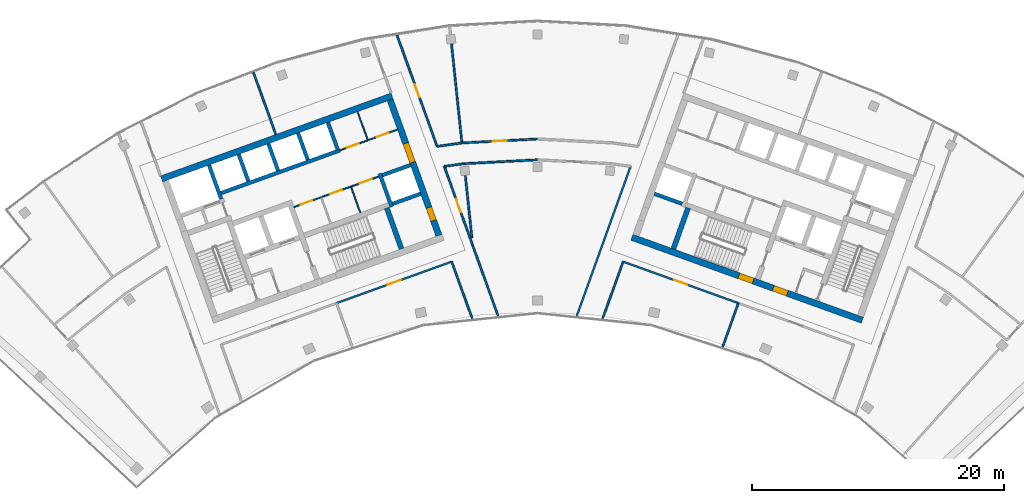
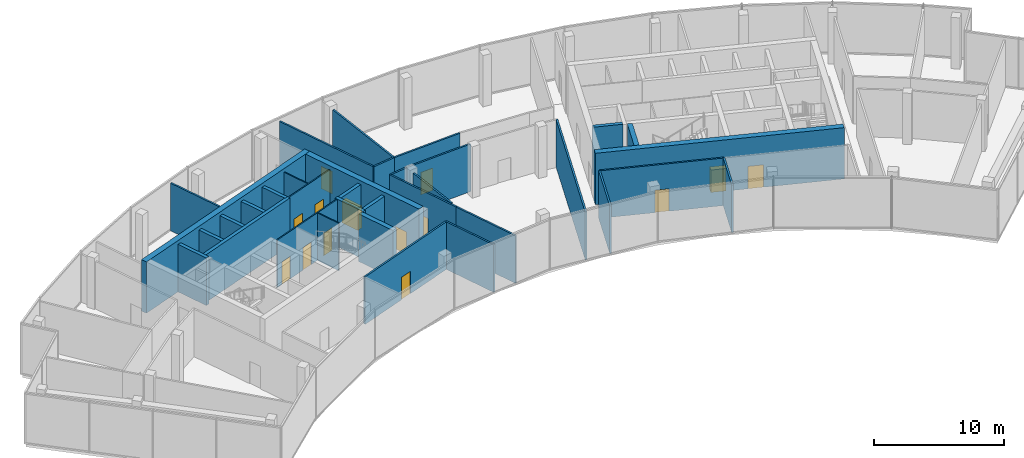
# One storey, part 13 of 17: 35 walls, 14 doors, 14 openings.
"""IFC4 building model written with IfcOpenShell, lengths in metres."""

from ifc_helpers import new_model, si_unit, direction, frame, frame_2d, origin, place, context, subcontext, project, spatial, rectangle, extrude, material, layer, layer_set, type_object, element, fill, save


model = new_model("IFC4")

# Units and contexts
model_context = context("Model", 3, precision=1e-05, world=origin(), true_north=direction((0.0, 1.0)))
body_context = subcontext(model_context, "Body", "Model", "MODEL_VIEW")
ifc_project = project(units=[si_unit("LENGTHUNIT", "METRE"), si_unit("AREAUNIT", "SQUARE_METRE"), si_unit("VOLUMEUNIT", "CUBIC_METRE"), si_unit("PLANEANGLEUNIT", "RADIAN"), si_unit("MASSUNIT", "GRAM", prefix="KILO")], contexts=[model_context])

# Site, building, storey
site_placement = place(None, origin())
site = spatial("IfcSite", under=ifc_project, at=site_placement, CompositionType="ELEMENT")
building_placement = place(site_placement, origin())
building = spatial("IfcBuilding", under=site, at=building_placement, Name="Stone Belt Terrace Tower", CompositionType="ELEMENT")
storey_placement = place(building_placement, frame((0.0, 0.0, 313.39990234375)))
storey = spatial("IfcBuildingStorey", under=building, at=storey_placement, Name="L76", CompositionType="ELEMENT", Elevation=313.39990234375)

# Wall, openings, doors
ifc_material_1 = material(Name="Plasterboard partition")
ifc_layer_1 = layer(ifc_material_1, 0.10009765625)
ifc_layer_set_1 = layer_set([ifc_layer_1], Name="Core partition 100")
wall_type_1 = type_object("IfcWallType", Name="Core partition 100", PredefinedType="PARTITIONING", material=ifc_layer_set_1)
wall_1_placement = place(storey_placement, frame((-19.29052734375, 51.829833984375, 0.0), z_axis=(0.0, 0.0, 1.0), x_axis=(0.94092179465, 0.338623945331, 0.0)))
wall_1 = element("IfcWall", 1, at=wall_1_placement, inside=storey, type_object=wall_type_1, Name="Core A wall", PredefinedType="PARTITIONING", context=body_context, shape_type="SweptSolid", body=[
    extrude(rectangle(XDim=7.14990234375, YDim=0.10009765625, at=frame_2d((3.574951171875, 0.0))), origin(), (0.0, 0.0, 1.0), 4.4501953125),
])
opening_1_placement = place(wall_1_placement, frame((0.550048828125, 0.0, 0.0)))
opening_1 = element("IfcOpeningElement", 2, at=opening_1_placement, cuts=wall_1, Name="Opening L76-C03", PredefinedType="OPENING", context=body_context, shape_type="SweptSolid", body=[
    extrude(rectangle(XDim=1.0, YDim=2.10009765625, at=frame_2d((0.5, 1.050048828125))), frame((0.0, 0.06005859375, 0.0), z_axis=(0.0, -1.0, 0.0), x_axis=(1.0, 0.0, 0.0)), (0.0, 0.0, 1.0), 0.1201171875),
])
opening_2_placement = place(wall_1_placement, frame((3.050048828125, 0.0, 0.0)))
opening_2 = element("IfcOpeningElement", 3, at=opening_2_placement, cuts=wall_1, Name="Opening L76-C04", PredefinedType="OPENING", context=body_context, shape_type="SweptSolid", body=[
    extrude(rectangle(XDim=1.0, YDim=2.10009765625, at=frame_2d((0.5, 1.050048828125))), frame((0.0, 0.06005859375, 0.0), z_axis=(0.0, -1.0, 0.0), x_axis=(1.0, 0.0, 0.0)), (0.0, 0.0, 1.0), 0.1201171875),
])
opening_3_placement = place(wall_1_placement, frame((5.550048828125, 0.0, 0.0)))
opening_3 = element("IfcOpeningElement", 4, at=opening_3_placement, cuts=wall_1, Name="Opening L76-C05", PredefinedType="OPENING", context=body_context, shape_type="SweptSolid", body=[
    extrude(rectangle(XDim=1.0, YDim=2.10009765625, at=frame_2d((0.5, 1.050048828125))), frame((0.0, 0.06005859375, 0.0), z_axis=(0.0, -1.0, 0.0), x_axis=(1.0, 0.0, 0.0)), (0.0, 0.0, 1.0), 0.1201171875),
])
ifc_material_2 = material(Name="Timber door leaf", Category="wood")
door_type_1 = type_object("IfcDoorType", Name="Core room door 1000", OperationType="SINGLE_SWING_LEFT", PredefinedType="DOOR", material=ifc_material_2)
door_1_placement = place(opening_1_placement, origin())
door_1 = element("IfcDoor", 5, at=door_1_placement, inside=storey, type_object=door_type_1, Name="Door to Ventilation plant room core A", OperationType="SINGLE_SWING_RIGHT", OverallHeight=2.10009765625, OverallWidth=1.0, PredefinedType="DOOR", context=body_context, shape_type="SweptSolid", body=[
    extrude(rectangle(XDim=1.0, YDim=2.10009765625, at=frame_2d((0.5, 1.050048828125))), frame((0.0, 0.02490234375, 0.0), z_axis=(0.0, -1.0, 0.0), x_axis=(1.0, 0.0, 0.0)), (0.0, 0.0, 1.0), 0.050048828125),
])
fill(opening_1, door_1)
door_2_placement = place(opening_2_placement, origin())
door_2 = element("IfcDoor", 6, at=door_2_placement, inside=storey, type_object=door_type_1, Name="Door to Services store core A", OperationType="SINGLE_SWING_LEFT", OverallHeight=2.10009765625, OverallWidth=1.0, PredefinedType="DOOR", context=body_context, shape_type="SweptSolid", body=[
    extrude(rectangle(XDim=1.0, YDim=2.10009765625, at=frame_2d((0.5, 1.050048828125))), frame((0.0, 0.02490234375, 0.0), z_axis=(0.0, -1.0, 0.0), x_axis=(1.0, 0.0, 0.0)), (0.0, 0.0, 1.0), 0.050048828125),
])
fill(opening_2, door_2)
door_3_placement = place(opening_3_placement, origin())
door_3 = element("IfcDoor", 7, at=door_3_placement, inside=storey, type_object=door_type_1, Name="Door to Server room core A", OperationType="SINGLE_SWING_RIGHT", OverallHeight=2.10009765625, OverallWidth=1.0, PredefinedType="DOOR", context=body_context, shape_type="SweptSolid", body=[
    extrude(rectangle(XDim=1.0, YDim=2.10009765625, at=frame_2d((0.5, 1.050048828125))), frame((0.0, 0.02490234375, 0.0), z_axis=(0.0, -1.0, 0.0), x_axis=(1.0, 0.0, 0.0)), (0.0, 0.0, 1.0), 0.050048828125),
])
fill(opening_3, door_3)

# Wall
wall_2_placement = place(storey_placement, frame((-14.029052734375, 51.38525390625, 0.0), z_axis=(0.0, 0.0, 1.0), x_axis=(-0.338622960269, 0.940922149159, 0.0)))
element("IfcWall", 8, at=wall_2_placement, inside=storey, type_object=wall_type_1, Name="Core A wall", PredefinedType="PARTITIONING", context=body_context, shape_type="SweptSolid", body=[
    extrude(rectangle(XDim=2.14990234375, YDim=0.10009765625, at=frame_2d((1.074951171875, 0.0))), origin(), (0.0, 0.0, 1.0), 4.4501953125),
])

# Wall, openings, doors
wall_3_placement = place(storey_placement, frame((-15.648681640625, 56.32861328125, 0.0), z_axis=(0.0, 0.0, 1.0), x_axis=(0.940905377977, 0.338669558262, 0.0)))
wall_3 = element("IfcWall", 9, at=wall_3_placement, inside=storey, type_object=wall_type_1, Name="Core A wall", PredefinedType="PARTITIONING", context=body_context, shape_type="SweptSolid", body=[
    extrude(rectangle(XDim=4.85009765625, YDim=0.10009765625, at=frame_2d((2.425048828125, 0.0))), origin(), (0.0, 0.0, 1.0), 4.4501953125),
])
opening_4_placement = place(wall_3_placement, frame((0.60009765625, 0.0, 0.0)))
opening_4 = element("IfcOpeningElement", 10, at=opening_4_placement, cuts=wall_3, Name="Opening L76-C01", PredefinedType="OPENING", context=body_context, shape_type="SweptSolid", body=[
    extrude(rectangle(XDim=1.0, YDim=2.10009765625, at=frame_2d((0.5, 1.050048828125))), frame((0.0, 0.06005859375, 0.0), z_axis=(0.0, -1.0, 0.0), x_axis=(1.0, 0.0, 0.0)), (0.0, 0.0, 1.0), 0.1201171875),
])
opening_5_placement = place(wall_3_placement, frame((3.10009765625, 0.0, 0.0)))
opening_5 = element("IfcOpeningElement", 11, at=opening_5_placement, cuts=wall_3, Name="Opening L76-C02", PredefinedType="OPENING", context=body_context, shape_type="SweptSolid", body=[
    extrude(rectangle(XDim=1.0, YDim=2.10009765625, at=frame_2d((0.5, 1.050048828125))), frame((0.0, 0.06005859375, 0.0), z_axis=(0.0, -1.0, 0.0), x_axis=(1.0, 0.0, 0.0)), (0.0, 0.0, 1.0), 0.1201171875),
])
door_4_placement = place(opening_4_placement, origin())
door_4 = element("IfcDoor", 12, at=door_4_placement, inside=storey, type_object=door_type_1, Name="Door to Plant room core A", OperationType="SINGLE_SWING_RIGHT", OverallHeight=2.10009765625, OverallWidth=1.0, PredefinedType="DOOR", context=body_context, shape_type="SweptSolid", body=[
    extrude(rectangle(XDim=1.0, YDim=2.10009765625, at=frame_2d((0.5, 1.050048828125))), frame((0.0, 0.02490234375, 0.0), z_axis=(0.0, -1.0, 0.0), x_axis=(1.0, 0.0, 0.0)), (0.0, 0.0, 1.0), 0.050048828125),
])
fill(opening_4, door_4)
door_5_placement = place(opening_5_placement, origin())
door_5 = element("IfcDoor", 13, at=door_5_placement, inside=storey, type_object=door_type_1, Name="Door to Electrical room core A", OperationType="SINGLE_SWING_LEFT", OverallHeight=2.10009765625, OverallWidth=1.0, PredefinedType="DOOR", context=body_context, shape_type="SweptSolid", body=[
    extrude(rectangle(XDim=1.0, YDim=2.10009765625, at=frame_2d((0.5, 1.050048828125))), frame((0.0, 0.02490234375, 0.0), z_axis=(0.0, -1.0, 0.0), x_axis=(1.0, 0.0, 0.0)), (0.0, 0.0, 1.0), 0.050048828125),
])
fill(opening_5, door_5)

# Walls
wall_4_placement = place(storey_placement, frame((-13.45458984375, 57.171630859375, 0.0), z_axis=(0.0, 0.0, 1.0), x_axis=(-0.338579668317, 0.940937728121, 0.0)))
element("IfcWall", 14, at=wall_4_placement, inside=storey, type_object=wall_type_1, Name="Core A wall", PredefinedType="PARTITIONING", context=body_context, shape_type="SweptSolid", body=[
    extrude(rectangle(XDim=2.35009765625, YDim=0.10009765625, at=frame_2d((1.175048828125, 0.0))), origin(), (0.0, 0.0, 1.0), 4.4501953125),
])
ifc_material_3 = material(Name="Concrete B60", Category="concrete")
ifc_layer_2 = layer(ifc_material_3, 0.5)
ifc_layer_set_2 = layer_set([ifc_layer_2], Name="Core wall 500 B60")
wall_type_2 = type_object("IfcWallType", Name="Core wall 500 B60", PredefinedType="SHEAR", material=ifc_layer_set_2)
wall_5_placement = place(storey_placement, frame((-29.76611328125, 54.064453125, 0.0), z_axis=(0.0, 0.0, 1.0), x_axis=(0.940921417488, 0.338624993336, 0.0)))
element("IfcWall", 15, at=wall_5_placement, inside=storey, type_object=wall_type_2, Name="Core A wall convex L76", PredefinedType="SHEAR", context=body_context, shape_type="SweptSolid", body=[
    extrude(rectangle(XDim=19.400146484375, YDim=0.5, at=frame_2d((9.7001953125, 0.0))), origin(), (0.0, 0.0, 1.0), 4.800048828125),
])

# Wall, openings, doors
wall_6_placement = place(storey_placement, frame((-7.802490234375, 49.58740234375, 0.0), z_axis=(0.0, 0.0, 1.0), x_axis=(-0.338625431531, 0.940921259788, 0.0)))
wall_6 = element("IfcWall", 16, at=wall_6_placement, inside=storey, type_object=wall_type_2, Name="Core A wall end_b L76", PredefinedType="SHEAR", context=body_context, shape_type="SweptSolid", body=[
    extrude(rectangle(XDim=11.400146484375, YDim=0.5, at=frame_2d((5.7001953125, 0.0))), origin(), (0.0, 0.0, 1.0), 4.800048828125),
])
opening_6_placement = place(wall_6_placement, frame((6.14990234375, 0.0, 0.0)))
opening_6 = element("IfcOpeningElement", 17, at=opening_6_placement, cuts=wall_6, Name="Opening L76-C08", PredefinedType="OPENING", context=body_context, shape_type="SweptSolid", body=[
    extrude(rectangle(XDim=1.60009765625, YDim=2.10009765625, at=frame_2d((0.800048828125, 1.050048828125))), frame((0.0, 0.260009765625, 0.0), z_axis=(0.0, -1.0, 0.0), x_axis=(1.0, 0.0, 0.0)), (0.0, 0.0, 1.0), 0.52001953125),
])
opening_7_placement = place(wall_6_placement, frame((1.25, 0.0, 0.0)))
opening_7 = element("IfcOpeningElement", 18, at=opening_7_placement, cuts=wall_6, Name="Opening L76-C14", PredefinedType="OPENING", context=body_context, shape_type="SweptSolid", body=[
    extrude(rectangle(XDim=1.10009765625, YDim=2.10009765625, at=frame_2d((0.550048828125, 1.050048828125))), frame((0.0, 0.260009765625, 0.0), z_axis=(0.0, -1.0, 0.0), x_axis=(1.0, 0.0, 0.0)), (0.0, 0.0, 1.0), 0.52001953125),
])
door_type_2 = type_object("IfcDoorType", Name="Core room door 1100", OperationType="SINGLE_SWING_LEFT", PredefinedType="DOOR", material=ifc_material_2)
door_6_placement = place(opening_7_placement, origin())
door_6 = element("IfcDoor", 19, at=door_6_placement, inside=storey, type_object=door_type_2, Name="Door to Mechanical plant room core A", OperationType="SINGLE_SWING_RIGHT", OverallHeight=2.10009765625, OverallWidth=1.10009765625, PredefinedType="DOOR", context=body_context, shape_type="SweptSolid", body=[
    extrude(rectangle(XDim=1.10009765625, YDim=2.10009765625, at=frame_2d((0.550048828125, 1.050048828125))), frame((0.0, 0.22998046875, 0.0), z_axis=(0.0, -1.0, 0.0), x_axis=(1.0, 0.0, 0.0)), (0.0, 0.0, 1.0), 0.4599609375),
])
fill(opening_7, door_6)
ifc_material_4 = material(Name="Glazed aluminium door leaf", Category="aluminium")
door_type_3 = type_object("IfcDoorType", Name="Lift lobby entrance door 1600", OperationType="DOUBLE_DOOR_SINGLE_SWING", PredefinedType="DOOR", material=ifc_material_4)
door_7_placement = place(opening_6_placement, origin())
door_7 = element("IfcDoor", 20, at=door_7_placement, inside=storey, type_object=door_type_3, Name="Lift lobby entrance door core A", OperationType="DOUBLE_DOOR_SINGLE_SWING", OverallHeight=2.10009765625, OverallWidth=1.60009765625, PredefinedType="DOOR", context=body_context, shape_type="SweptSolid", body=[
    extrude(rectangle(XDim=1.60009765625, YDim=2.10009765625, at=frame_2d((0.800048828125, 1.050048828125))), frame((0.0, 0.22998046875, 0.0), z_axis=(0.0, -1.0, 0.0), x_axis=(1.0, 0.0, 0.0)), (0.0, 0.0, 1.0), 0.4599609375),
])
fill(opening_6, door_7)

wall_7_placement = place(storey_placement, frame((7.482666015625, 49.43701171875, 0.0), z_axis=(0.0, 0.0, 1.0), x_axis=(0.940917407757, -0.338636134781, 0.0)))
wall_7 = element("IfcWall", 21, at=wall_7_placement, inside=storey, type_object=wall_type_2, Name="Core B wall concave L76", PredefinedType="SHEAR", context=body_context, shape_type="SweptSolid", body=[
    extrude(rectangle(XDim=19.400146484375, YDim=0.5, at=frame_2d((9.7001953125, 0.0))), origin(), (0.0, 0.0, 1.0), 4.800048828125),
])
opening_8_placement = place(wall_7_placement, frame((11.89990234375, 0.0, 0.0)))
opening_8 = element("IfcOpeningElement", 22, at=opening_8_placement, cuts=wall_7, Name="Opening L76-C25", PredefinedType="OPENING", context=body_context, shape_type="SweptSolid", body=[
    extrude(rectangle(XDim=1.199951171875, YDim=2.10009765625, at=frame_2d((0.60009765625, 1.050048828125))), frame((0.0, 0.260009765625, 0.0), z_axis=(0.0, -1.0, 0.0), x_axis=(1.0, 0.0, 0.0)), (0.0, 0.0, 1.0), 0.52001953125),
])
opening_9_placement = place(wall_7_placement, frame((9.0, 0.0, 0.0)))
opening_9 = element("IfcOpeningElement", 23, at=opening_9_placement, cuts=wall_7, Name="Opening L76-C27", PredefinedType="OPENING", context=body_context, shape_type="SweptSolid", body=[
    extrude(rectangle(XDim=1.199951171875, YDim=2.10009765625, at=frame_2d((0.60009765625, 1.050048828125))), frame((0.0, 0.260009765625, 0.0), z_axis=(0.0, -1.0, 0.0), x_axis=(1.0, 0.0, 0.0)), (0.0, 0.0, 1.0), 0.52001953125),
])
ifc_material_5 = material(Name="Steel door leaf", Category="steel")
door_type_4 = type_object("IfcDoorType", Name="Fire-fighting lobby door 1200", OperationType="SINGLE_SWING_LEFT", PredefinedType="DOOR", material=ifc_material_5)
door_8_placement = place(opening_8_placement, origin())
door_8 = element("IfcDoor", 24, at=door_8_placement, inside=storey, type_object=door_type_4, Name="Fire-fighting lobby door core B", OperationType="SINGLE_SWING_LEFT", OverallHeight=2.10009765625, OverallWidth=1.199951171875, PredefinedType="DOOR", context=body_context, shape_type="SweptSolid", body=[
    extrude(rectangle(XDim=1.199951171875, YDim=2.10009765625, at=frame_2d((0.60009765625, 1.050048828125))), frame((0.0, 0.22998046875, 0.0), z_axis=(0.0, -1.0, 0.0), x_axis=(1.0, 0.0, 0.0)), (0.0, 0.0, 1.0), 0.4599609375),
])
fill(opening_8, door_8)
door_type_5 = type_object("IfcDoorType", Name="Stair door 1200", OperationType="SINGLE_SWING_LEFT", PredefinedType="DOOR", material=ifc_material_5)
door_9_placement = place(opening_9_placement, origin())
door_9 = element("IfcDoor", 25, at=door_9_placement, inside=storey, type_object=door_type_5, Name="Stair 2 exit door core B", OperationType="SINGLE_SWING_RIGHT", OverallHeight=2.10009765625, OverallWidth=1.199951171875, PredefinedType="DOOR", context=body_context, shape_type="SweptSolid", body=[
    extrude(rectangle(XDim=1.199951171875, YDim=2.10009765625, at=frame_2d((0.60009765625, 1.050048828125))), frame((0.0, 0.22998046875, 0.0), z_axis=(0.0, -1.0, 0.0), x_axis=(1.0, 0.0, 0.0)), (0.0, 0.0, 1.0), 0.4599609375),
])
fill(opening_9, door_9)

# Walls
ifc_material_6 = material(Name="Concrete B80", Category="concrete")
ifc_layer_3 = layer(ifc_material_6, 0.300048828125)
ifc_layer_set_3 = layer_set([ifc_layer_3], Name="Lift shaft wall 300")
wall_type_3 = type_object("IfcWallType", Name="Lift shaft wall 300", PredefinedType="SHEAR", material=ifc_layer_set_3)
wall_8_placement = place(storey_placement, frame((-25.046875, 52.46826171875, 0.0), z_axis=(0.0, 0.0, 1.0), x_axis=(-0.338549588058, 0.940948551423, 0.0)))
element("IfcWall", 26, at=wall_8_placement, inside=storey, type_object=wall_type_3, Name="Core A wall", PredefinedType="SHEAR", context=body_context, shape_type="SweptSolid", body=[
    extrude(rectangle(XDim=2.849853515625, YDim=0.300048828125, at=frame_2d((1.4248046875, 0.0))), origin(), (0.0, 0.0, 1.0), 4.4501953125),
])
wall_9_placement = place(storey_placement, frame((-25.05810546875, 52.9423828125, 0.0), z_axis=(0.0, 0.0, 1.0), x_axis=(0.940924441602, 0.338616590255, 0.0)))
element("IfcWall", 27, at=wall_9_placement, inside=storey, type_object=wall_type_3, Name="Core A wall", PredefinedType="SHEAR", context=body_context, shape_type="SweptSolid", body=[
    extrude(rectangle(XDim=10.000244140625, YDim=0.300048828125, at=frame_2d((5.0, 0.0))), origin(), (0.0, 0.0, 1.0), 4.4501953125),
])
wall_10_placement = place(storey_placement, frame((-22.897705078125, 53.87939453125, 0.0), z_axis=(0.0, 0.0, 1.0), x_axis=(-0.338535034312, 0.940953787677, 0.0)))
element("IfcWall", 28, at=wall_10_placement, inside=storey, type_object=wall_type_3, Name="Core A wall", PredefinedType="SHEAR", context=body_context, shape_type="SweptSolid", body=[
    extrude(rectangle(XDim=2.25, YDim=0.300048828125, at=frame_2d((1.125, 0.0))), origin(), (0.0, 0.0, 1.0), 4.4501953125),
])
wall_11_placement = place(storey_placement, frame((-20.54541015625, 54.72607421875, 0.0), z_axis=(0.0, 0.0, 1.0), x_axis=(-0.338569601369, 0.940941350472, 0.0)))
element("IfcWall", 29, at=wall_11_placement, inside=storey, type_object=wall_type_3, Name="Core A wall", PredefinedType="SHEAR", context=body_context, shape_type="SweptSolid", body=[
    extrude(rectangle(XDim=2.249755859375, YDim=0.300048828125, at=frame_2d((1.125, 0.0))), origin(), (0.0, 0.0, 1.0), 4.4501953125),
])
wall_12_placement = place(storey_placement, frame((-18.193115234375, 55.572509765625, 0.0), z_axis=(0.0, 0.0, 1.0), x_axis=(-0.338535034312, 0.940953787677, 0.0)))
element("IfcWall", 30, at=wall_12_placement, inside=storey, type_object=wall_type_3, Name="Core A wall", PredefinedType="SHEAR", context=body_context, shape_type="SweptSolid", body=[
    extrude(rectangle(XDim=2.25, YDim=0.300048828125, at=frame_2d((1.125, 0.0))), origin(), (0.0, 0.0, 1.0), 4.4501953125),
])
wall_13_placement = place(storey_placement, frame((-15.82373046875, 56.3720703125, 0.0), z_axis=(0.0, 0.0, 1.0), x_axis=(-0.338621735342, 0.94092258999, 0.0)))
element("IfcWall", 31, at=wall_13_placement, inside=storey, type_object=wall_type_3, Name="Core A wall", PredefinedType="SHEAR", context=body_context, shape_type="SweptSolid", body=[
    extrude(rectangle(XDim=2.300048828125, YDim=0.300048828125, at=frame_2d((1.14990234375, 0.0))), origin(), (0.0, 0.0, 1.0), 4.4501953125),
])
wall_14_placement = place(storey_placement, frame((-11.541259765625, 51.85546875, 0.0), z_axis=(0.0, 0.0, 1.0), x_axis=(-0.338660803216, 0.940908529223, 0.0)))
element("IfcWall", 32, at=wall_14_placement, inside=storey, type_object=wall_type_3, Name="Core A wall", PredefinedType="SHEAR", context=body_context, shape_type="SweptSolid", body=[
    extrude(rectangle(XDim=2.800048828125, YDim=0.300048828125, at=frame_2d((1.39990234375, 0.0))), origin(), (0.0, 0.0, 1.0), 4.4501953125),
])
wall_15_placement = place(storey_placement, frame((-11.468017578125, 52.09423828125, 0.0), z_axis=(0.0, 0.0, 1.0), x_axis=(0.940904627055, 0.338671644496, 0.0)))
element("IfcWall", 33, at=wall_15_placement, inside=storey, type_object=wall_type_3, Name="Core A wall", PredefinedType="SHEAR", context=body_context, shape_type="SweptSolid", body=[
    extrude(rectangle(XDim=2.35009765625, YDim=0.300048828125, at=frame_2d((1.175048828125, 0.0))), origin(), (0.0, 0.0, 1.0), 4.4501953125),
])
wall_16_placement = place(storey_placement, frame((-12.280517578125, 54.3525390625, 0.0), z_axis=(0.0, 0.0, 1.0), x_axis=(0.940925816745, 0.338612769078, 0.0)))
element("IfcWall", 34, at=wall_16_placement, inside=storey, type_object=wall_type_3, Name="Core A wall", PredefinedType="SHEAR", context=body_context, shape_type="SweptSolid", body=[
    extrude(rectangle(XDim=2.349853515625, YDim=0.300048828125, at=frame_2d((1.1748046875, 0.0))), origin(), (0.0, 0.0, 1.0), 4.4501953125),
])
wall_17_placement = place(storey_placement, frame((11.468017578125, 52.09423828125, 0.0), z_axis=(0.0, 0.0, 1.0), x_axis=(-0.940904627055, 0.338671644496, 0.0)))
element("IfcWall", 35, at=wall_17_placement, inside=storey, type_object=wall_type_3, Name="Core B wall", PredefinedType="SHEAR", context=body_context, shape_type="SweptSolid", body=[
    extrude(rectangle(XDim=2.35009765625, YDim=0.300048828125, at=frame_2d((1.175048828125, 0.0))), origin(), (0.0, 0.0, 1.0), 4.4501953125),
])
ifc_material_7 = material(Name="Gypsum board partition")
ifc_layer_4 = layer(ifc_material_7, 0.14990234375)
ifc_layer_set_4 = layer_set([ifc_layer_4], Name="PARTITION 150 EI 60")
wall_type_4 = type_object("IfcWallType", Name="PARTITION 150 EI 60", PredefinedType="PARTITIONING", material=ifc_layer_set_4)
wall_18_placement = place(storey_placement, frame((-5.151123046875, 42.95849609375, 0.0), z_axis=(0.0, 0.0, 1.0), x_axis=(-0.338530173929, 0.940955536324, 0.0)))
element("IfcWall", 36, at=wall_18_placement, inside=storey, type_object=wall_type_4, Name="L76/wall/i006", PredefinedType="PARTITIONING", context=body_context, shape_type="SweptSolid", body=[
    extrude(rectangle(XDim=4.84130859375, YDim=0.14990234375, at=frame_2d((2.420654296875, 0.0))), origin(), (0.0, 0.0, 1.0), 4.4501953125),
])

# Wall, opening, door
wall_19_placement = place(storey_placement, frame((-7.381103515625, 55.05908203125, 0.0), z_axis=(0.0, 0.0, 1.0), x_axis=(0.338745451541, -0.940878057487, 0.0)))
wall_19 = element("IfcWall", 37, at=wall_19_placement, inside=storey, type_object=wall_type_4, Name="L76/wall/i008", PredefinedType="PARTITIONING", context=body_context, shape_type="SweptSolid", body=[
    extrude(rectangle(XDim=6.654296875, YDim=0.14990234375, at=frame_2d((3.3271484375, 0.0))), origin(), (0.0, 0.0, 1.0), 4.4501953125),
])
opening_10_placement = place(wall_19_placement, frame((2.777099609375, 0.0, 0.0)))
opening_10 = element("IfcOpeningElement", 38, at=opening_10_placement, cuts=wall_19, Name="Opening D-C76-17", PredefinedType="OPENING", context=body_context, shape_type="SweptSolid", body=[
    extrude(rectangle(XDim=1.10009765625, YDim=2.10009765625, at=frame_2d((0.550048828125, 1.050048828125))), frame((0.0, 0.0849609375, 0.0), z_axis=(0.0, -1.0, 0.0), x_axis=(1.0, 0.0, 0.0)), (0.0, 0.0, 1.0), 0.169921875),
])
ifc_material_8 = material(Name="Steel fire door set", Category="steel")
door_type_6 = type_object("IfcDoorType", Name="SERVICE ROOM DOOR 1100 X 2100", OperationType="NOTDEFINED", PredefinedType="DOOR", material=ifc_material_8)
door_10_placement = place(opening_10_placement, origin())
door_10 = element("IfcDoor", 39, at=door_10_placement, inside=storey, type_object=door_type_6, Name="L76/door/i17", OperationType="SINGLE_SWING_RIGHT", OverallHeight=2.10009765625, OverallWidth=1.10009765625, PredefinedType="DOOR", context=body_context, shape_type="SweptSolid", body=[
    extrude(rectangle(XDim=1.10009765625, YDim=2.10009765625, at=frame_2d((0.550048828125, 1.050048828125))), frame((0.0, 0.02490234375, 0.0), z_axis=(0.0, -1.0, 0.0), x_axis=(1.0, 0.0, 0.0)), (0.0, 0.0, 1.0), 0.050048828125),
])
fill(opening_10, door_10)

# Wall
wall_20_placement = place(storey_placement, frame((-5.1279296875, 48.797607421875, 0.0), z_axis=(0.0, 0.0, 1.0), x_axis=(0.338733932031, -0.94088220479, 0.0)))
element("IfcWall", 40, at=wall_20_placement, inside=storey, type_object=wall_type_4, Name="L76/wall/i009", PredefinedType="PARTITIONING", context=body_context, shape_type="SweptSolid", body=[
    extrude(rectangle(XDim=5.97705078125, YDim=0.14990234375, at=frame_2d((2.988525390625, 0.0))), origin(), (0.0, 0.0, 1.0), 4.4501953125),
])

# Wall, opening, door
wall_21_placement = place(storey_placement, frame((-11.12890625, 65.47216796875, 0.0), z_axis=(0.0, 0.0, 1.0), x_axis=(0.338667938609, -0.940905960954, 0.0)))
wall_21 = element("IfcWall", 41, at=wall_21_placement, inside=storey, type_object=wall_type_4, Name="L76/wall/i010", PredefinedType="PARTITIONING", context=body_context, shape_type="SweptSolid", body=[
    extrude(rectangle(XDim=9.395263671875, YDim=0.14990234375, at=frame_2d((4.69775390625, 0.0))), origin(), (0.0, 0.0, 1.0), 4.4501953125),
])
opening_11_placement = place(wall_21_placement, frame((4.147705078125, 0.0, 0.0)))
opening_11 = element("IfcOpeningElement", 42, at=opening_11_placement, cuts=wall_21, Name="Opening D-C76-19", PredefinedType="OPENING", context=body_context, shape_type="SweptSolid", body=[
    extrude(rectangle(XDim=1.10009765625, YDim=2.10009765625, at=frame_2d((0.550048828125, 1.050048828125))), frame((0.0, 0.0849609375, 0.0), z_axis=(0.0, -1.0, 0.0), x_axis=(1.0, 0.0, 0.0)), (0.0, 0.0, 1.0), 0.169921875),
])
door_11_placement = place(opening_11_placement, origin())
door_11 = element("IfcDoor", 43, at=door_11_placement, inside=storey, type_object=door_type_6, Name="L76/door/i19", OperationType="SINGLE_SWING_LEFT", OverallHeight=2.10009765625, OverallWidth=1.10009765625, PredefinedType="DOOR", context=body_context, shape_type="SweptSolid", body=[
    extrude(rectangle(XDim=1.10009765625, YDim=2.10009765625, at=frame_2d((0.550048828125, 1.050048828125))), frame((0.0, 0.02490234375, 0.0), z_axis=(0.0, -1.0, 0.0), x_axis=(1.0, 0.0, 0.0)), (0.0, 0.0, 1.0), 0.050048828125),
])
fill(opening_11, door_11)

wall_22_placement = place(storey_placement, frame((-6.7880859375, 47.508056640625, 0.0), z_axis=(0.0, 0.0, 1.0), x_axis=(-0.940942551854, -0.33856626251, 0.0)))
wall_22 = element("IfcWall", 44, at=wall_22_placement, inside=storey, type_object=wall_type_4, Name="L76/wall/i012", PredefinedType="PARTITIONING", context=body_context, shape_type="SweptSolid", body=[
    extrude(rectangle(XDim=9.7060546875, YDim=0.14990234375, at=frame_2d((4.85302734375, 0.0))), origin(), (0.0, 0.0, 1.0), 4.4501953125),
])
opening_12_placement = place(wall_22_placement, frame((4.302978515625, 0.0, 0.0)))
opening_12 = element("IfcOpeningElement", 45, at=opening_12_placement, cuts=wall_22, Name="Opening D-C76-02", PredefinedType="OPENING", context=body_context, shape_type="SweptSolid", body=[
    extrude(rectangle(XDim=1.10009765625, YDim=2.10009765625, at=frame_2d((0.550048828125, 1.050048828125))), frame((0.0, 0.0849609375, 0.0), z_axis=(0.0, -1.0, 0.0), x_axis=(1.0, 0.0, 0.0)), (0.0, 0.0, 1.0), 0.169921875),
])
door_12_placement = place(opening_12_placement, origin())
door_12 = element("IfcDoor", 46, at=door_12_placement, inside=storey, type_object=door_type_6, Name="L76/door/i02", OperationType="SINGLE_SWING_RIGHT", OverallHeight=2.10009765625, OverallWidth=1.10009765625, PredefinedType="DOOR", context=body_context, shape_type="SweptSolid", body=[
    extrude(rectangle(XDim=1.10009765625, YDim=2.10009765625, at=frame_2d((0.550048828125, 1.050048828125))), frame((0.0, 0.02490234375, 0.0), z_axis=(0.0, -1.0, 0.0), x_axis=(1.0, 0.0, 0.0)), (0.0, 0.0, 1.0), 0.050048828125),
])
fill(opening_12, door_12)

# Walls
wall_23_placement = place(storey_placement, frame((-22.492919921875, 62.4990234375, 0.0), z_axis=(0.0, 0.0, 1.0), x_axis=(0.338615199904, -0.940924941956, 0.0)))
element("IfcWall", 47, at=wall_23_placement, inside=storey, type_object=wall_type_4, Name="L76/wall/i014", PredefinedType="PARTITIONING", context=body_context, shape_type="SweptSolid", body=[
    extrude(rectangle(XDim=5.2236328125, YDim=0.14990234375, at=frame_2d((2.61181640625, 0.0))), origin(), (0.0, 0.0, 1.0), 4.4501953125),
])
wall_24_placement = place(storey_placement, frame((6.7900390625, 47.513916015625, 0.0), z_axis=(0.0, 0.0, 1.0), x_axis=(-0.338530173929, -0.940955536324, 0.0)))
element("IfcWall", 48, at=wall_24_placement, inside=storey, type_object=wall_type_4, Name="L76/wall/i015", PredefinedType="PARTITIONING", context=body_context, shape_type="SweptSolid", body=[
    extrude(rectangle(XDim=4.84130859375, YDim=0.14990234375, at=frame_2d((2.420654296875, 0.0))), origin(), (0.0, 0.0, 1.0), 4.4501953125),
])
wall_25_placement = place(storey_placement, frame((3.10302734375, 43.173828125, 0.0), z_axis=(0.0, 0.0, 1.0), x_axis=(0.338676350547, 0.940902933134, 0.0)))
element("IfcWall", 49, at=wall_25_placement, inside=storey, type_object=wall_type_4, Name="L76/wall/i017", PredefinedType="PARTITIONING", context=body_context, shape_type="SweptSolid", body=[
    extrude(rectangle(XDim=12.6318359375, YDim=0.14990234375, at=frame_2d((6.31591796875, 0.0))), origin(), (0.0, 0.0, 1.0), 4.4501953125),
])

# Wall, opening, door
wall_26_placement = place(storey_placement, frame((15.9208984375, 44.221923828125, 0.0), z_axis=(0.0, 0.0, 1.0), x_axis=(-0.940942551854, 0.33856626251, 0.0)))
wall_26 = element("IfcWall", 50, at=wall_26_placement, inside=storey, type_object=wall_type_4, Name="L76/wall/i024", PredefinedType="PARTITIONING", context=body_context, shape_type="SweptSolid", body=[
    extrude(rectangle(XDim=9.7060546875, YDim=0.14990234375, at=frame_2d((4.85302734375, 0.0))), origin(), (0.0, 0.0, 1.0), 4.4501953125),
])
opening_13_placement = place(wall_26_placement, frame((4.302978515625, 0.0, 0.0)))
opening_13 = element("IfcOpeningElement", 51, at=opening_13_placement, cuts=wall_26, Name="Opening D-C76-05", PredefinedType="OPENING", context=body_context, shape_type="SweptSolid", body=[
    extrude(rectangle(XDim=1.10009765625, YDim=2.10009765625, at=frame_2d((0.550048828125, 1.050048828125))), frame((0.0, 0.0849609375, 0.0), z_axis=(0.0, -1.0, 0.0), x_axis=(1.0, 0.0, 0.0)), (0.0, 0.0, 1.0), 0.169921875),
])
door_13_placement = place(opening_13_placement, origin())
door_13 = element("IfcDoor", 52, at=door_13_placement, inside=storey, type_object=door_type_6, Name="L76/door/i05", OperationType="SINGLE_SWING_RIGHT", OverallHeight=2.10009765625, OverallWidth=1.10009765625, PredefinedType="DOOR", context=body_context, shape_type="SweptSolid", body=[
    extrude(rectangle(XDim=1.10009765625, YDim=2.10009765625, at=frame_2d((0.550048828125, 1.050048828125))), frame((0.0, 0.02490234375, 0.0), z_axis=(0.0, -1.0, 0.0), x_axis=(1.0, 0.0, 0.0)), (0.0, 0.0, 1.0), 0.050048828125),
])
fill(opening_13, door_13)

# Walls
wall_27_placement = place(storey_placement, frame((15.9150390625, 44.222900390625, 0.0), z_axis=(0.0, 0.0, 1.0), x_axis=(-0.338565939122, -0.940942668215, 0.0)))
element("IfcWall", 53, at=wall_27_placement, inside=storey, type_object=wall_type_4, Name="L76/wall/i026", PredefinedType="PARTITIONING", context=body_context, shape_type="SweptSolid", body=[
    extrude(rectangle(XDim=3.716552734375, YDim=0.14990234375, at=frame_2d((1.8583984375, 0.0))), origin(), (0.0, 0.0, 1.0), 4.4501953125),
])
wall_28_placement = place(storey_placement, frame((-5.80908203125, 55.27099609375, 0.0), z_axis=(0.0, 0.0, 1.0), x_axis=(-0.990493439248, -0.137559975311, 0.0)))
element("IfcWall", 54, at=wall_28_placement, inside=storey, type_object=wall_type_4, Name="L76/wall/i044", PredefinedType="PARTITIONING", context=body_context, shape_type="SweptSolid", body=[
    extrude(rectangle(XDim=1.5849609375, YDim=0.14990234375, at=frame_2d((0.79248046875, 0.0))), origin(), (0.0, 0.0, 1.0), 4.4501953125),
])
wall_29_placement = place(storey_placement, frame((0.0, 55.574951171875, 0.0), z_axis=(0.0, 0.0, 1.0), x_axis=(-0.998633897938, -0.052252635241, 0.0)))
element("IfcWall", 55, at=wall_29_placement, inside=storey, type_object=wall_type_4, Name="L76/wall/i047", PredefinedType="PARTITIONING", context=body_context, shape_type="SweptSolid", body=[
    extrude(rectangle(XDim=5.817138671875, YDim=0.14990234375, at=frame_2d((2.90869140625, 0.0))), origin(), (0.0, 0.0, 1.0), 4.4501953125),
])
wall_30_placement = place(storey_placement, frame((-7.948974609375, 56.637939453125, 0.0), z_axis=(0.0, 0.0, 1.0), x_axis=(0.99042562209, 0.138047408912, 0.0)))
element("IfcWall", 56, at=wall_30_placement, inside=storey, type_object=wall_type_4, Name="L76/wall/i048", PredefinedType="PARTITIONING", context=body_context, shape_type="SweptSolid", body=[
    extrude(rectangle(XDim=1.986083984375, YDim=0.14990234375, at=frame_2d((0.9931640625, 0.0))), origin(), (0.0, 0.0, 1.0), 4.4501953125),
])

# Wall, opening, door
wall_31_placement = place(storey_placement, frame((-5.98193359375, 56.912109375, 0.0), z_axis=(0.0, 0.0, 1.0), x_axis=(0.998633994648, 0.052250786921, 0.0)))
wall_31 = element("IfcWall", 57, at=wall_31_placement, inside=storey, type_object=wall_type_4, Name="L76/wall/i049", PredefinedType="PARTITIONING", context=body_context, shape_type="SweptSolid", body=[
    extrude(rectangle(XDim=5.990234375, YDim=0.14990234375, at=frame_2d((2.9951171875, 0.0))), origin(), (0.0, 0.0, 1.0), 4.4501953125),
])
opening_14_placement = place(wall_31_placement, frame((2.445068359375, 0.0, 0.0)))
opening_14 = element("IfcOpeningElement", 58, at=opening_14_placement, cuts=wall_31, Name="Opening D-C76-20", PredefinedType="OPENING", context=body_context, shape_type="SweptSolid", body=[
    extrude(rectangle(XDim=1.10009765625, YDim=2.10009765625, at=frame_2d((0.550048828125, 1.050048828125))), frame((0.0, 0.0849609375, 0.0), z_axis=(0.0, -1.0, 0.0), x_axis=(1.0, 0.0, 0.0)), (0.0, 0.0, 1.0), 0.169921875),
])
door_14_placement = place(opening_14_placement, origin())
door_14 = element("IfcDoor", 59, at=door_14_placement, inside=storey, type_object=door_type_6, Name="L76/door/i20", OperationType="SINGLE_SWING_LEFT", OverallHeight=2.10009765625, OverallWidth=1.10009765625, PredefinedType="DOOR", context=body_context, shape_type="SweptSolid", body=[
    extrude(rectangle(XDim=1.10009765625, YDim=2.10009765625, at=frame_2d((0.550048828125, 1.050048828125))), frame((0.0, 0.02490234375, 0.0), z_axis=(0.0, -1.0, 0.0), x_axis=(1.0, 0.0, 0.0)), (0.0, 0.0, 1.0), 0.050048828125),
])
fill(opening_14, door_14)

# Walls
wall_32_placement = place(storey_placement, frame((-5.708984375, 54.32080078125, 0.0), z_axis=(0.0, 0.0, 1.0), x_axis=(0.104548662851, -0.994519772099, 0.0)))
element("IfcWall", 60, at=wall_32_placement, inside=storey, type_object=wall_type_4, Name="L76/wall/i052", PredefinedType="PARTITIONING", context=body_context, shape_type="SweptSolid", body=[
    extrude(rectangle(XDim=4.9482421875, YDim=0.14990234375, at=frame_2d((2.47412109375, 0.0))), origin(), (0.0, 0.0, 1.0), 4.4501953125),
])
wall_33_placement = place(storey_placement, frame((-6.80615234375, 64.752197265625, 0.0), z_axis=(0.0, 0.0, 1.0), x_axis=(0.104552591052, -0.99451935914, 0.0)))
element("IfcWall", 61, at=wall_33_placement, inside=storey, type_object=wall_type_4, Name="L76/wall/i054", PredefinedType="PARTITIONING", context=body_context, shape_type="SweptSolid", body=[
    extrude(rectangle(XDim=7.88330078125, YDim=0.14990234375, at=frame_2d((3.941650390625, 0.0))), origin(), (0.0, 0.0, 1.0), 4.4501953125),
])
ifc_layer_5 = layer(ifc_material_6, 0.39990234375)
ifc_layer_set_5 = layer_set([ifc_layer_5], Name="Stair enclosure wall 400")
wall_type_5 = type_object("IfcWallType", Name="Stair enclosure wall 400", PredefinedType="SHEAR", material=ifc_layer_set_5)
for number, where, z_axis, x_axis, name in (
    (62, (-10.766357421875, 48.520751953125, 0.0), (0.0, 0.0, 1.0), (-0.338621735342, 0.94092258999, 0.0), "Core A wall"),
    (63, (10.766357421875, 48.520751953125, 0.0), (0.0, 0.0, 1.0), (0.338621735342, 0.94092258999, 0.0), "Core B wall"),
):
    element("IfcWall", number, at=place(storey_placement, frame(where, z_axis=z_axis, x_axis=x_axis)), inside=storey, type_object=wall_type_5, Name=name, PredefinedType="SHEAR", context=body_context, shape_type="SweptSolid", body=[
        extrude(rectangle(XDim=3.449951171875, YDim=0.39990234375, at=frame_2d((1.72509765625, 0.0))), origin(), (0.0, 0.0, 1.0), 4.4501953125),
    ])

save(model, "model.ifc")
